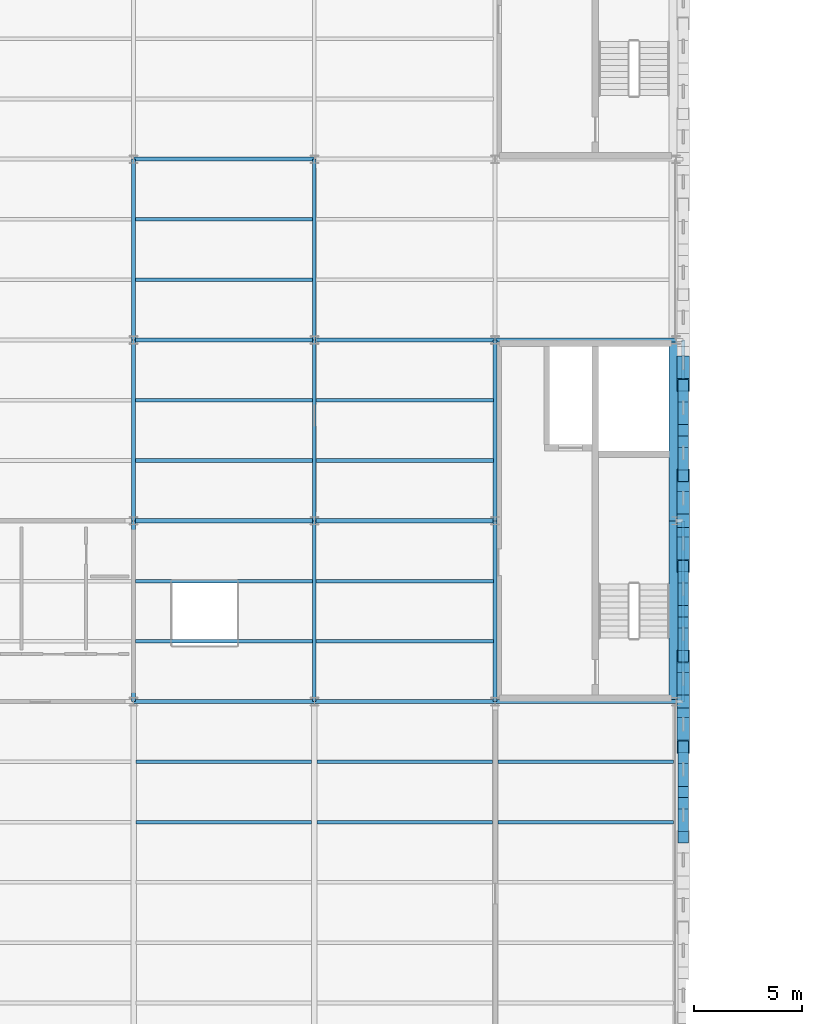
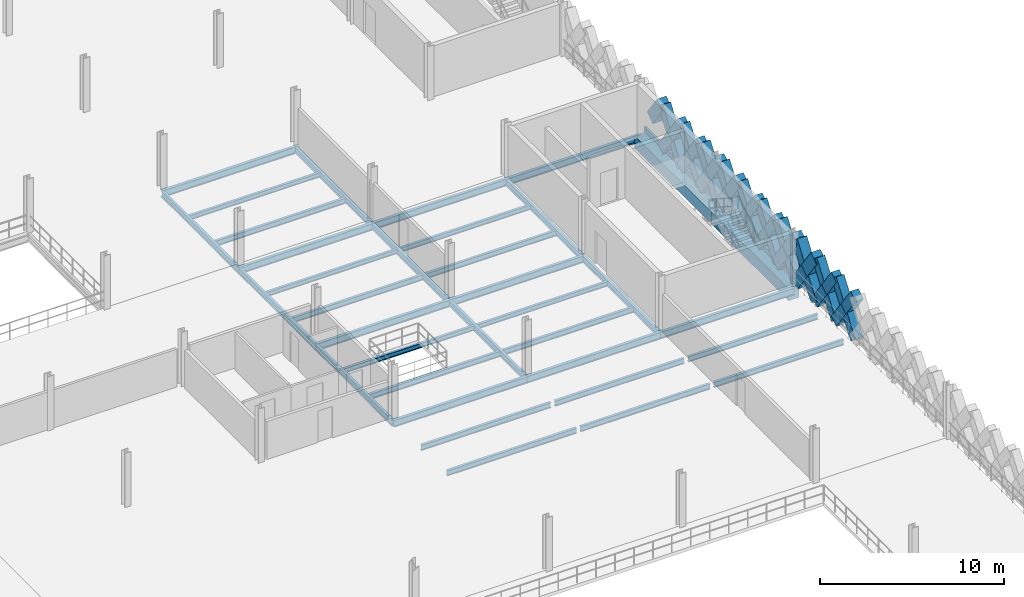
# One storey, part 26 of 79: 35 beams, 33 members.
"""IFC4 building model written with IfcOpenShell, lengths in metres."""

from ifc_helpers import new_model, si_unit, direction, frame, origin, origin_2d, place, context, subcontext, project, spatial, rectangle, hollow_rectangle, i_section, extrude, material, material_profile, profile_set, type_object, element, save


model = new_model("IFC4")

# Units and contexts
model_context = context("Model", 3, precision=1e-05, world=origin(), true_north=direction((0.0, 1.0)))
body_context = subcontext(model_context, "Body", "Model", "MODEL_VIEW")
ifc_project = project(units=[si_unit("LENGTHUNIT", "METRE"), si_unit("AREAUNIT", "SQUARE_METRE"), si_unit("VOLUMEUNIT", "CUBIC_METRE"), si_unit("PLANEANGLEUNIT", "RADIAN"), si_unit("MASSUNIT", "GRAM", prefix="KILO"), si_unit("THERMODYNAMICTEMPERATUREUNIT", "KELVIN"), si_unit("POWERUNIT", "WATT")], contexts=[model_context])

# Site, building, storey
site_placement = place(None, origin())
site = spatial("IfcSite", under=ifc_project, at=site_placement, CompositionType="ELEMENT")
building_placement = place(site_placement, origin())
building = spatial("IfcBuilding", under=site, at=building_placement, Name="Tembeka Court Mobility Hub", CompositionType="ELEMENT")
storey_placement = place(building_placement, frame((0.0, 0.0, 9.0)))
storey = spatial("IfcBuildingStorey", under=building, at=storey_placement, Name="L02", CompositionType="ELEMENT", Elevation=9.0)

# Beams
ifc_material_1 = material(Name="Steel S355", Category="steel")
ifc_material_profile_1 = material_profile(ifc_material_1, i_section(OverallWidth=0.18994140625, OverallDepth=0.45703125, WebThickness=0.009033203125, FlangeThickness=0.014404296875, FilletRadius=0.01025390625, at=origin_2d()), Name="UKB 457x191x74")
ifc_profile_set_1 = profile_set([ifc_material_profile_1], Name="Steel S355")
beam_type_1 = type_object("IfcBeamType", Name="BM-B01", PredefinedType="BEAM", material=ifc_profile_set_1)
beam_1_placement = place(storey_placement, frame((67.199951171875, 38.39990234375, -0.448486328125), z_axis=(1.0, 0.0, 0.0), x_axis=(0.0, 1.0, 0.0)))
element("IfcBeam", 1, at=beam_1_placement, inside=storey, type_object=beam_type_1, Name="Beam B01 (BM-L02-X1217)", PredefinedType="BEAM", context=body_context, shape_type="SweptSolid", body=[
    extrude(i_section(OverallWidth=0.18994140625, OverallDepth=0.45703125, WebThickness=0.009033203125, FlangeThickness=0.014404296875, FilletRadius=0.01025390625, at=origin_2d()), origin(), (0.0, 0.0, 1.0), 8.400146484375),
])
for number, where, z_axis, x_axis, name in (
    (2, (75.60009765625, 38.39990234375, -0.448486328125), (1.0, 0.0, 0.0), (0.0, 1.0, 0.0), "Beam B01 (BM-L02-X1218)"),
    (3, (84.0, 38.39990234375, -0.448486328125), (1.0, 0.0, 0.0), (0.0, 1.0, 0.0), "Beam B01 (BM-L02-X1219)"),
):
    element("IfcBeam", number, at=place(storey_placement, frame(where, z_axis=z_axis, x_axis=x_axis)), inside=storey, type_object=beam_type_1, Name=name, PredefinedType="BEAM", context=body_context, shape_type="SweptSolid", body=[
        extrude(i_section(OverallWidth=0.18994140625, OverallDepth=0.45703125, WebThickness=0.009033203125, FlangeThickness=0.014404296875, FilletRadius=0.01025390625, at=origin_2d()), origin(), (0.0, 0.0, 1.0), 8.39990234375),
    ])
beam_2_placement = place(storey_placement, frame((67.199951171875, 46.800048828125, -0.448486328125), z_axis=(1.0, 0.0, 0.0), x_axis=(0.0, 1.0, 0.0)))
element("IfcBeam", 4, at=beam_2_placement, inside=storey, type_object=beam_type_1, Name="Beam B01 (BM-L02-X1232)", PredefinedType="BEAM", context=body_context, shape_type="SweptSolid", body=[
    extrude(i_section(OverallWidth=0.18994140625, OverallDepth=0.45703125, WebThickness=0.009033203125, FlangeThickness=0.014404296875, FilletRadius=0.01025390625, at=origin_2d()), origin(), (0.0, 0.0, 1.0), 8.400146484375),
])
beam_3_placement = place(storey_placement, frame((75.60009765625, 46.800048828125, -0.448486328125), z_axis=(1.0, 0.0, 0.0), x_axis=(0.0, 1.0, 0.0)))
element("IfcBeam", 5, at=beam_3_placement, inside=storey, type_object=beam_type_1, Name="Beam B01 (BM-L02-X1233)", PredefinedType="BEAM", context=body_context, shape_type="SweptSolid", body=[
    extrude(i_section(OverallWidth=0.18994140625, OverallDepth=0.45703125, WebThickness=0.009033203125, FlangeThickness=0.014404296875, FilletRadius=0.01025390625, at=origin_2d()), origin(), (0.0, 0.0, 1.0), 8.39990234375),
])
beam_4_placement = place(storey_placement, frame((67.199951171875, 55.199951171875, -0.448486328125), z_axis=(1.0, 0.0, 0.0), x_axis=(0.0, 1.0, 0.0)))
element("IfcBeam", 6, at=beam_4_placement, inside=storey, type_object=beam_type_1, Name="Beam B01 (BM-L02-X1247)", PredefinedType="BEAM", context=body_context, shape_type="SweptSolid", body=[
    extrude(i_section(OverallWidth=0.18994140625, OverallDepth=0.45703125, WebThickness=0.009033203125, FlangeThickness=0.014404296875, FilletRadius=0.01025390625, at=origin_2d()), origin(), (0.0, 0.0, 1.0), 8.400146484375),
])
for number, where, z_axis, x_axis, name in (
    (7, (75.60009765625, 55.199951171875, -0.448486328125), (1.0, 0.0, 0.0), (0.0, 1.0, 0.0), "Beam B01 (BM-L02-X1248)"),
    (8, (84.0, 55.199951171875, -0.448486328125), (1.0, 0.0, 0.0), (0.0, 1.0, 0.0), "Beam B01 (BM-L02-X1249)"),
):
    element("IfcBeam", number, at=place(storey_placement, frame(where, z_axis=z_axis, x_axis=x_axis)), inside=storey, type_object=beam_type_1, Name=name, PredefinedType="BEAM", context=body_context, shape_type="SweptSolid", body=[
        extrude(i_section(OverallWidth=0.18994140625, OverallDepth=0.45703125, WebThickness=0.009033203125, FlangeThickness=0.014404296875, FilletRadius=0.01025390625, at=origin_2d()), origin(), (0.0, 0.0, 1.0), 8.39990234375),
    ])
beam_5_placement = place(storey_placement, frame((67.199951171875, 63.60009765625, -0.448486328125), z_axis=(1.0, 0.0, 0.0), x_axis=(0.0, 1.0, 0.0)))
element("IfcBeam", 9, at=beam_5_placement, inside=storey, type_object=beam_type_1, Name="Beam B01 (BM-L02-X1259)", PredefinedType="BEAM", context=body_context, shape_type="SweptSolid", body=[
    extrude(i_section(OverallWidth=0.18994140625, OverallDepth=0.45703125, WebThickness=0.009033203125, FlangeThickness=0.014404296875, FilletRadius=0.01025390625, at=origin_2d()), origin(), (0.0, 0.0, 1.0), 8.400146484375),
])
ifc_material_profile_2 = material_profile(ifc_material_1, i_section(OverallWidth=0.177978515625, OverallDepth=0.406005859375, WebThickness=0.0078125, FlangeThickness=0.0126953125, FilletRadius=0.01025390625, at=origin_2d()), Name="UKB 406x178x60")
ifc_profile_set_2 = profile_set([ifc_material_profile_2], Name="Steel S355")
beam_type_2 = type_object("IfcBeamType", Name="BM-B02", PredefinedType="BEAM", material=ifc_profile_set_2)
beam_6_placement = place(storey_placement, frame((67.199951171875, 38.39990234375, -0.423095703125), z_axis=(0.0, 1.0, 0.0), x_axis=(-1.0, 0.0, 0.0)))
element("IfcBeam", 10, at=beam_6_placement, inside=storey, type_object=beam_type_2, Name="Beam B02 (BM-L02-Y1377)", PredefinedType="BEAM", context=body_context, shape_type="SweptSolid", body=[
    extrude(i_section(OverallWidth=0.177978515625, OverallDepth=0.406005859375, WebThickness=0.0078125, FlangeThickness=0.0126953125, FilletRadius=0.01025390625, at=origin_2d()), origin(), (0.0, 0.0, 1.0), 8.400146484375),
])
beam_7_placement = place(storey_placement, frame((67.199951171875, 46.800048828125, -0.423095703125), z_axis=(0.0, 1.0, 0.0), x_axis=(-1.0, 0.0, 0.0)))
element("IfcBeam", 11, at=beam_7_placement, inside=storey, type_object=beam_type_2, Name="Beam B02 (BM-L02-Y1378)", PredefinedType="BEAM", context=body_context, shape_type="SweptSolid", body=[
    extrude(i_section(OverallWidth=0.177978515625, OverallDepth=0.406005859375, WebThickness=0.0078125, FlangeThickness=0.0126953125, FilletRadius=0.01025390625, at=origin_2d()), origin(), (0.0, 0.0, 1.0), 8.39990234375),
])
for number, where, z_axis, x_axis, name in (
    (12, (67.199951171875, 55.199951171875, -0.423095703125), (0.0, 1.0, 0.0), (-1.0, 0.0, 0.0), "Beam B02 (BM-L02-Y1379)"),
    (13, (75.60009765625, 38.39990234375, -0.423095703125), (0.0, 1.0, 0.0), (-1.0, 0.0, 0.0), "Beam B02 (BM-L02-Y1384)"),
):
    element("IfcBeam", number, at=place(storey_placement, frame(where, z_axis=z_axis, x_axis=x_axis)), inside=storey, type_object=beam_type_2, Name=name, PredefinedType="BEAM", context=body_context, shape_type="SweptSolid", body=[
        extrude(i_section(OverallWidth=0.177978515625, OverallDepth=0.406005859375, WebThickness=0.0078125, FlangeThickness=0.0126953125, FilletRadius=0.01025390625, at=origin_2d()), origin(), (0.0, 0.0, 1.0), 8.400146484375),
    ])
beam_8_placement = place(storey_placement, frame((75.60009765625, 46.800048828125, -0.423095703125), z_axis=(0.0, 1.0, 0.0), x_axis=(-1.0, 0.0, 0.0)))
element("IfcBeam", 14, at=beam_8_placement, inside=storey, type_object=beam_type_2, Name="Beam B02 (BM-L02-Y1385)", PredefinedType="BEAM", context=body_context, shape_type="SweptSolid", body=[
    extrude(i_section(OverallWidth=0.177978515625, OverallDepth=0.406005859375, WebThickness=0.0078125, FlangeThickness=0.0126953125, FilletRadius=0.01025390625, at=origin_2d()), origin(), (0.0, 0.0, 1.0), 8.39990234375),
])
for number, where, z_axis, x_axis, name in (
    (15, (75.60009765625, 55.199951171875, -0.423095703125), (0.0, 1.0, 0.0), (-1.0, 0.0, 0.0), "Beam B02 (BM-L02-Y1386)"),
    (16, (84.0, 38.39990234375, -0.423095703125), (0.0, 1.0, 0.0), (-1.0, 0.0, 0.0), "Beam B02 (BM-L02-Y1393)"),
):
    element("IfcBeam", number, at=place(storey_placement, frame(where, z_axis=z_axis, x_axis=x_axis)), inside=storey, type_object=beam_type_2, Name=name, PredefinedType="BEAM", context=body_context, shape_type="SweptSolid", body=[
        extrude(i_section(OverallWidth=0.177978515625, OverallDepth=0.406005859375, WebThickness=0.0078125, FlangeThickness=0.0126953125, FilletRadius=0.01025390625, at=origin_2d()), origin(), (0.0, 0.0, 1.0), 8.400146484375),
    ])
beam_9_placement = place(storey_placement, frame((84.0, 46.800048828125, -0.423095703125), z_axis=(0.0, 1.0, 0.0), x_axis=(-1.0, 0.0, 0.0)))
element("IfcBeam", 17, at=beam_9_placement, inside=storey, type_object=beam_type_2, Name="Beam B02 (BM-L02-Y1394)", PredefinedType="BEAM", context=body_context, shape_type="SweptSolid", body=[
    extrude(i_section(OverallWidth=0.177978515625, OverallDepth=0.406005859375, WebThickness=0.0078125, FlangeThickness=0.0126953125, FilletRadius=0.01025390625, at=origin_2d()), origin(), (0.0, 0.0, 1.0), 8.39990234375),
])
ifc_material_profile_3 = material_profile(ifc_material_1, i_section(OverallWidth=0.172119140625, OverallDepth=0.35498046875, WebThickness=0.00732421875, FlangeThickness=0.011474609375, FilletRadius=0.01025390625, at=origin_2d()), Name="UKB 356x171x51")
ifc_profile_set_3 = profile_set([ifc_material_profile_3], Name="Steel S355")
beam_type_3 = type_object("IfcBeamType", Name="BM-J01", PredefinedType="JOIST", material=ifc_profile_set_3)
for number, where, z_axis, x_axis, name in (
    (18, (67.322021484375, 32.800048828125, -0.3974609375), (1.0, 0.0, 0.0), (0.0, 1.0, 0.0), "Beam J01 (JST-L02-1586)"),
    (19, (67.322021484375, 35.60009765625, -0.3974609375), (1.0, 0.0, 0.0), (0.0, 1.0, 0.0), "Beam J01 (JST-L02-1587)"),
    (20, (75.721923828125, 32.800048828125, -0.3974609375), (1.0, 0.0, 0.0), (0.0, 1.0, 0.0), "Beam J01 (JST-L02-1606)"),
    (21, (75.721923828125, 35.60009765625, -0.3974609375), (1.0, 0.0, 0.0), (0.0, 1.0, 0.0), "Beam J01 (JST-L02-1607)"),
    (22, (84.1220703125, 32.800048828125, -0.3974609375), (1.0, 0.0, 0.0), (0.0, 1.0, 0.0), "Beam J01 (JST-L02-1626)"),
    (23, (84.1220703125, 35.60009765625, -0.3974609375), (1.0, 0.0, 0.0), (0.0, 1.0, 0.0), "Beam J01 (JST-L02-1627)"),
):
    element("IfcBeam", number, at=place(storey_placement, frame(where, z_axis=z_axis, x_axis=x_axis)), inside=storey, type_object=beam_type_3, Name=name, PredefinedType="JOIST", context=body_context, shape_type="SweptSolid", body=[
        extrude(i_section(OverallWidth=0.172119140625, OverallDepth=0.35498046875, WebThickness=0.00732421875, FlangeThickness=0.011474609375, FilletRadius=0.01025390625, at=origin_2d()), origin(), (0.0, 0.0, 1.0), 8.156005859375),
    ])
ifc_material_profile_4 = material_profile(ifc_material_1, i_section(OverallWidth=0.1650390625, OverallDepth=0.303955078125, WebThickness=0.006103515625, FlangeThickness=0.01025390625, FilletRadius=0.0087890625, at=origin_2d()), Name="UKB 305x165x40")
ifc_profile_set_4 = profile_set([ifc_material_profile_4], Name="Steel S355")
beam_type_4 = type_object("IfcBeamType", Name="BM-J02", PredefinedType="JOIST", material=ifc_profile_set_4)
for number, where, z_axis, x_axis, name in (
    (24, (67.283935546875, 44.0, -0.3720703125), (1.0, 0.0, 0.0), (0.0, 1.0, 0.0), "Beam J02 (JST-L02-1589)"),
    (25, (67.283935546875, 52.39990234375, -0.3720703125), (1.0, 0.0, 0.0), (0.0, 1.0, 0.0), "Beam J02 (JST-L02-1591)"),
    (26, (67.283935546875, 60.800048828125, -0.3720703125), (1.0, 0.0, 0.0), (0.0, 1.0, 0.0), "Beam J02 (JST-L02-1593)"),
):
    element("IfcBeam", number, at=place(storey_placement, frame(where, z_axis=z_axis, x_axis=x_axis)), inside=storey, type_object=beam_type_4, Name=name, PredefinedType="JOIST", context=body_context, shape_type="SweptSolid", body=[
        extrude(i_section(OverallWidth=0.1650390625, OverallDepth=0.303955078125, WebThickness=0.006103515625, FlangeThickness=0.01025390625, FilletRadius=0.0087890625, at=origin_2d()), origin(), (0.0, 0.0, 1.0), 8.232177734375),
    ])
for number, where, z_axis, x_axis, name in (
    (27, (75.68408203125, 44.0, -0.3720703125), (1.0, 0.0, 0.0), (0.0, 1.0, 0.0), "Beam J02 (JST-L02-1609)"),
    (28, (75.68408203125, 52.39990234375, -0.3720703125), (1.0, 0.0, 0.0), (0.0, 1.0, 0.0), "Beam J02 (JST-L02-1611)"),
):
    element("IfcBeam", number, at=place(storey_placement, frame(where, z_axis=z_axis, x_axis=x_axis)), inside=storey, type_object=beam_type_4, Name=name, PredefinedType="JOIST", context=body_context, shape_type="SweptSolid", body=[
        extrude(i_section(OverallWidth=0.1650390625, OverallDepth=0.303955078125, WebThickness=0.006103515625, FlangeThickness=0.01025390625, FilletRadius=0.0087890625, at=origin_2d()), origin(), (0.0, 0.0, 1.0), 8.23193359375),
    ])
ifc_material_profile_5 = material_profile(ifc_material_1, i_section(OverallWidth=0.169921875, OverallDepth=0.360107421875, WebThickness=0.008056640625, FlangeThickness=0.0126953125, FilletRadius=0.01806640625, at=origin_2d()), Name="IPE 360")
ifc_profile_set_5 = profile_set([ifc_material_profile_5], Name="Steel S355")
beam_type_5 = type_object("IfcBeamType", Name="BM-J03", PredefinedType="JOIST", material=ifc_profile_set_5)
for number, where, z_axis, x_axis, name in (
    (29, (67.283935546875, 41.199951171875, -0.39990234375), (1.0, 0.0, 0.0), (0.0, 1.0, 0.0), "Beam J03 (JST-L02-1588)"),
    (30, (67.283935546875, 49.60009765625, -0.39990234375), (1.0, 0.0, 0.0), (0.0, 1.0, 0.0), "Beam J03 (JST-L02-1590)"),
    (31, (67.283935546875, 58.0, -0.39990234375), (1.0, 0.0, 0.0), (0.0, 1.0, 0.0), "Beam J03 (JST-L02-1592)"),
):
    element("IfcBeam", number, at=place(storey_placement, frame(where, z_axis=z_axis, x_axis=x_axis)), inside=storey, type_object=beam_type_5, Name=name, PredefinedType="JOIST", context=body_context, shape_type="SweptSolid", body=[
        extrude(i_section(OverallWidth=0.169921875, OverallDepth=0.360107421875, WebThickness=0.008056640625, FlangeThickness=0.0126953125, FilletRadius=0.01806640625, at=origin_2d()), origin(), (0.0, 0.0, 1.0), 8.232177734375),
    ])
for number, where, z_axis, x_axis, name in (
    (32, (75.68408203125, 41.199951171875, -0.39990234375), (1.0, 0.0, 0.0), (0.0, 1.0, 0.0), "Beam J03 (JST-L02-1608)"),
    (33, (75.68408203125, 49.60009765625, -0.39990234375), (1.0, 0.0, 0.0), (0.0, 1.0, 0.0), "Beam J03 (JST-L02-1610)"),
):
    element("IfcBeam", number, at=place(storey_placement, frame(where, z_axis=z_axis, x_axis=x_axis)), inside=storey, type_object=beam_type_5, Name=name, PredefinedType="JOIST", context=body_context, shape_type="SweptSolid", body=[
        extrude(i_section(OverallWidth=0.169921875, OverallDepth=0.360107421875, WebThickness=0.008056640625, FlangeThickness=0.0126953125, FilletRadius=0.01806640625, at=origin_2d()), origin(), (0.0, 0.0, 1.0), 8.23193359375),
    ])
ifc_material_2 = material(Name="Precast concrete C45/55", Category="concrete")
ifc_material_profile_6 = material_profile(ifc_material_2, rectangle(XDim=0.64990234375, YDim=0.800048828125, at=origin_2d()), Name="PC-SP 650x800")
ifc_profile_set_6 = profile_set([ifc_material_profile_6], Name="Precast concrete C45/55")
beam_type_6 = type_object("IfcBeamType", Name="BM-SP01", PredefinedType="SPANDREL", material=ifc_profile_set_6)
beam_10_placement = place(storey_placement, frame((92.39990234375, 38.39990234375, -0.6201171875), z_axis=(0.0, 1.0, 0.0), x_axis=(-1.0, 0.0, 0.0)))
element("IfcBeam", 34, at=beam_10_placement, inside=storey, type_object=beam_type_6, Name="Beam SP01 (BM-L02-Y1404)", PredefinedType="SPANDREL", context=body_context, shape_type="SweptSolid", body=[
    extrude(rectangle(XDim=0.64990234375, YDim=0.800048828125, at=origin_2d()), origin(), (0.0, 0.0, 1.0), 8.400146484375),
])
beam_11_placement = place(storey_placement, frame((92.39990234375, 46.800048828125, -0.6201171875), z_axis=(0.0, 1.0, 0.0), x_axis=(-1.0, 0.0, 0.0)))
element("IfcBeam", 35, at=beam_11_placement, inside=storey, type_object=beam_type_6, Name="Beam SP01 (BM-L02-Y1405)", PredefinedType="SPANDREL", context=body_context, shape_type="SweptSolid", body=[
    extrude(rectangle(XDim=0.64990234375, YDim=0.800048828125, at=origin_2d()), origin(), (0.0, 0.0, 1.0), 8.39990234375),
])

# Members
ifc_material_profile_7 = material_profile(ifc_material_2, rectangle(XDim=0.5, YDim=0.64990234375, at=origin_2d()), Name="PC-DIAG 500x650")
ifc_profile_set_7 = profile_set([ifc_material_profile_7], Name="Precast concrete C45/55")
member_type_1 = type_object("IfcMemberType", Name="MEM-DL01", PredefinedType="BRACE", material=ifc_profile_set_7)
member_1_placement = place(storey_placement, frame((92.739990234375, 32.10009765625, 0.02001953125), z_axis=(0.0, 0.58253161945, 0.812808041509), x_axis=(-1.0, 0.0, 0.0)))
element("IfcMember", 36, at=member_1_placement, inside=storey, type_object=member_type_1, Name="Precast diamond lattice continuous strand DL01 (L02-348C)", PredefinedType="BRACE", context=body_context, shape_type="SweptSolid", body=[
    extrude(rectangle(XDim=0.5, YDim=0.64990234375, at=origin_2d()), origin(), (0.0, 0.0, 1.0), 3.604736328125),
])
member_2_placement = place(storey_placement, frame((92.739990234375, 34.199951171875, 0.02001953125), z_axis=(0.0, -0.582544294934, 0.812798956963), x_axis=(1.0, 0.0, 0.0)))
element("IfcMember", 37, at=member_2_placement, inside=storey, type_object=member_type_1, Name="Precast diamond lattice split lower strand DL01 (L02-348D1)", PredefinedType="BRACE", context=body_context, shape_type="SweptSolid", body=[
    extrude(rectangle(XDim=0.5, YDim=0.64990234375, at=origin_2d()), origin(), (0.0, 0.0, 1.0), 1.802490234375),
])
member_3_placement = place(storey_placement, frame((92.739990234375, 33.14990234375, 1.485107421875), z_axis=(0.0, -0.582518941428, 0.812817127574), x_axis=(1.0, 0.0, 0.0)))
element("IfcMember", 38, at=member_3_placement, inside=storey, type_object=member_type_1, Name="Precast diamond lattice split upper strand DL01 (L02-348D2)", PredefinedType="BRACE", context=body_context, shape_type="SweptSolid", body=[
    extrude(rectangle(XDim=0.5, YDim=0.64990234375, at=origin_2d()), origin(), (0.0, 0.0, 1.0), 1.80224609375),
])
member_4_placement = place(storey_placement, frame((92.739990234375, 34.199951171875, 0.02001953125), z_axis=(0.0, 0.582576362011, 0.812775973086), x_axis=(-1.0, 0.0, 0.0)))
element("IfcMember", 39, at=member_4_placement, inside=storey, type_object=member_type_1, Name="Precast diamond lattice continuous strand DL01 (L02-349C)", PredefinedType="BRACE", context=body_context, shape_type="SweptSolid", body=[
    extrude(rectangle(XDim=0.5, YDim=0.64990234375, at=origin_2d()), origin(), (0.0, 0.0, 1.0), 3.604736328125),
])
member_5_placement = place(storey_placement, frame((92.739990234375, 36.300048828125, 0.02001953125), z_axis=(0.0, -0.582544294934, 0.812798956963), x_axis=(1.0, 0.0, 0.0)))
element("IfcMember", 40, at=member_5_placement, inside=storey, type_object=member_type_1, Name="Precast diamond lattice split lower strand DL01 (L02-349D1)", PredefinedType="BRACE", context=body_context, shape_type="SweptSolid", body=[
    extrude(rectangle(XDim=0.5, YDim=0.64990234375, at=origin_2d()), origin(), (0.0, 0.0, 1.0), 1.802490234375),
])
member_6_placement = place(storey_placement, frame((92.739990234375, 35.25, 1.485107421875), z_axis=(0.0, -0.582608431711, 0.812752985414), x_axis=(1.0, 0.0, 0.0)))
element("IfcMember", 41, at=member_6_placement, inside=storey, type_object=member_type_1, Name="Precast diamond lattice split upper strand DL01 (L02-349D2)", PredefinedType="BRACE", context=body_context, shape_type="SweptSolid", body=[
    extrude(rectangle(XDim=0.5, YDim=0.64990234375, at=origin_2d()), origin(), (0.0, 0.0, 1.0), 1.80224609375),
])
member_7_placement = place(storey_placement, frame((92.739990234375, 40.5, 0.02001953125), z_axis=(0.0, 0.582576362011, 0.812775973086), x_axis=(-1.0, 0.0, 0.0)))
element("IfcMember", 42, at=member_7_placement, inside=storey, type_object=member_type_1, Name="Precast diamond lattice continuous strand DL01 (L02-352C)", PredefinedType="BRACE", context=body_context, shape_type="SweptSolid", body=[
    extrude(rectangle(XDim=0.5, YDim=0.64990234375, at=origin_2d()), origin(), (0.0, 0.0, 1.0), 3.604736328125),
])
member_8_placement = place(storey_placement, frame((92.739990234375, 42.60009765625, 0.02001953125), z_axis=(0.0, -0.582544294934, 0.812798956963), x_axis=(1.0, 0.0, 0.0)))
element("IfcMember", 43, at=member_8_placement, inside=storey, type_object=member_type_1, Name="Precast diamond lattice split lower strand DL01 (L02-352D1)", PredefinedType="BRACE", context=body_context, shape_type="SweptSolid", body=[
    extrude(rectangle(XDim=0.5, YDim=0.64990234375, at=origin_2d()), origin(), (0.0, 0.0, 1.0), 1.802490234375),
])
member_9_placement = place(storey_placement, frame((92.739990234375, 41.550048828125, 1.485107421875), z_axis=(0.0, -0.582608431711, 0.812752985414), x_axis=(1.0, 0.0, 0.0)))
element("IfcMember", 44, at=member_9_placement, inside=storey, type_object=member_type_1, Name="Precast diamond lattice split upper strand DL01 (L02-352D2)", PredefinedType="BRACE", context=body_context, shape_type="SweptSolid", body=[
    extrude(rectangle(XDim=0.5, YDim=0.64990234375, at=origin_2d()), origin(), (0.0, 0.0, 1.0), 1.80224609375),
])
member_10_placement = place(storey_placement, frame((92.739990234375, 42.60009765625, 0.02001953125), z_axis=(0.0, 0.58253161945, 0.812808041509), x_axis=(-1.0, 0.0, 0.0)))
element("IfcMember", 45, at=member_10_placement, inside=storey, type_object=member_type_1, Name="Precast diamond lattice continuous strand DL01 (L02-353C)", PredefinedType="BRACE", context=body_context, shape_type="SweptSolid", body=[
    extrude(rectangle(XDim=0.5, YDim=0.64990234375, at=origin_2d()), origin(), (0.0, 0.0, 1.0), 3.604736328125),
])
member_11_placement = place(storey_placement, frame((92.739990234375, 44.699951171875, 0.02001953125), z_axis=(0.0, -0.582544294934, 0.812798956963), x_axis=(1.0, 0.0, 0.0)))
element("IfcMember", 46, at=member_11_placement, inside=storey, type_object=member_type_1, Name="Precast diamond lattice split lower strand DL01 (L02-353D1)", PredefinedType="BRACE", context=body_context, shape_type="SweptSolid", body=[
    extrude(rectangle(XDim=0.5, YDim=0.64990234375, at=origin_2d()), origin(), (0.0, 0.0, 1.0), 1.802490234375),
])
member_12_placement = place(storey_placement, frame((92.739990234375, 43.64990234375, 1.485107421875), z_axis=(0.0, -0.582518941428, 0.812817127574), x_axis=(1.0, 0.0, 0.0)))
element("IfcMember", 47, at=member_12_placement, inside=storey, type_object=member_type_1, Name="Precast diamond lattice split upper strand DL01 (L02-353D2)", PredefinedType="BRACE", context=body_context, shape_type="SweptSolid", body=[
    extrude(rectangle(XDim=0.5, YDim=0.64990234375, at=origin_2d()), origin(), (0.0, 0.0, 1.0), 1.80224609375),
])
member_13_placement = place(storey_placement, frame((92.739990234375, 48.89990234375, 0.02001953125), z_axis=(0.0, 0.582576362011, 0.812775973086), x_axis=(-1.0, 0.0, 0.0)))
element("IfcMember", 48, at=member_13_placement, inside=storey, type_object=member_type_1, Name="Precast diamond lattice continuous strand DL01 (L02-356C)", PredefinedType="BRACE", context=body_context, shape_type="SweptSolid", body=[
    extrude(rectangle(XDim=0.5, YDim=0.64990234375, at=origin_2d()), origin(), (0.0, 0.0, 1.0), 3.604736328125),
])
member_14_placement = place(storey_placement, frame((92.739990234375, 51.0, 0.02001953125), z_axis=(0.0, -0.582544294934, 0.812798956963), x_axis=(1.0, 0.0, 0.0)))
element("IfcMember", 49, at=member_14_placement, inside=storey, type_object=member_type_1, Name="Precast diamond lattice split lower strand DL01 (L02-356D1)", PredefinedType="BRACE", context=body_context, shape_type="SweptSolid", body=[
    extrude(rectangle(XDim=0.5, YDim=0.64990234375, at=origin_2d()), origin(), (0.0, 0.0, 1.0), 1.802490234375),
])
member_15_placement = place(storey_placement, frame((92.739990234375, 49.949951171875, 1.485107421875), z_axis=(0.0, -0.582608431711, 0.812752985414), x_axis=(1.0, 0.0, 0.0)))
element("IfcMember", 50, at=member_15_placement, inside=storey, type_object=member_type_1, Name="Precast diamond lattice split upper strand DL01 (L02-356D2)", PredefinedType="BRACE", context=body_context, shape_type="SweptSolid", body=[
    extrude(rectangle(XDim=0.5, YDim=0.64990234375, at=origin_2d()), origin(), (0.0, 0.0, 1.0), 1.80224609375),
])
member_16_placement = place(storey_placement, frame((92.739990234375, 51.0, 0.02001953125), z_axis=(0.0, 0.582576362011, 0.812775973086), x_axis=(-1.0, 0.0, 0.0)))
element("IfcMember", 51, at=member_16_placement, inside=storey, type_object=member_type_1, Name="Precast diamond lattice continuous strand DL01 (L02-357C)", PredefinedType="BRACE", context=body_context, shape_type="SweptSolid", body=[
    extrude(rectangle(XDim=0.5, YDim=0.64990234375, at=origin_2d()), origin(), (0.0, 0.0, 1.0), 3.604736328125),
])
member_17_placement = place(storey_placement, frame((92.739990234375, 53.10009765625, 0.02001953125), z_axis=(0.0, -0.582544294934, 0.812798956963), x_axis=(1.0, 0.0, 0.0)))
element("IfcMember", 52, at=member_17_placement, inside=storey, type_object=member_type_1, Name="Precast diamond lattice split lower strand DL01 (L02-357D1)", PredefinedType="BRACE", context=body_context, shape_type="SweptSolid", body=[
    extrude(rectangle(XDim=0.5, YDim=0.64990234375, at=origin_2d()), origin(), (0.0, 0.0, 1.0), 1.802490234375),
])
member_18_placement = place(storey_placement, frame((92.739990234375, 52.050048828125, 1.485107421875), z_axis=(0.0, -0.582608431711, 0.812752985414), x_axis=(1.0, 0.0, 0.0)))
element("IfcMember", 53, at=member_18_placement, inside=storey, type_object=member_type_1, Name="Precast diamond lattice split upper strand DL01 (L02-357D2)", PredefinedType="BRACE", context=body_context, shape_type="SweptSolid", body=[
    extrude(rectangle(XDim=0.5, YDim=0.64990234375, at=origin_2d()), origin(), (0.0, 0.0, 1.0), 1.80224609375),
])
ifc_material_profile_8 = material_profile(ifc_material_2, rectangle(XDim=0.60009765625, YDim=0.75, at=origin_2d()), Name="PC-DIAG 600x750")
ifc_profile_set_8 = profile_set([ifc_material_profile_8], Name="Precast concrete C45/55")
member_type_2 = type_object("IfcMemberType", Name="MEM-DL02", PredefinedType="BRACE", material=ifc_profile_set_8)
member_19_placement = place(storey_placement, frame((92.739990234375, 36.300048828125, 0.02001953125), z_axis=(0.0, 0.58253161945, 0.812808041509), x_axis=(-1.0, 0.0, 0.0)))
element("IfcMember", 54, at=member_19_placement, inside=storey, type_object=member_type_2, Name="Precast diamond lattice continuous strand DL02 (L02-350C)", PredefinedType="BRACE", context=body_context, shape_type="SweptSolid", body=[
    extrude(rectangle(XDim=0.60009765625, YDim=0.75, at=origin_2d()), origin(), (0.0, 0.0, 1.0), 3.604736328125),
])
member_20_placement = place(storey_placement, frame((92.739990234375, 38.39990234375, 0.02001953125), z_axis=(0.0, -0.582454804382, 0.812863088627), x_axis=(1.0, 0.0, 0.0)))
element("IfcMember", 55, at=member_20_placement, inside=storey, type_object=member_type_2, Name="Precast diamond lattice split lower strand DL02 (L02-350D1)", PredefinedType="BRACE", context=body_context, shape_type="SweptSolid", body=[
    extrude(rectangle(XDim=0.60009765625, YDim=0.75, at=origin_2d()), origin(), (0.0, 0.0, 1.0), 1.802490234375),
])
member_21_placement = place(storey_placement, frame((92.739990234375, 37.35009765625, 1.485107421875), z_axis=(0.0, -0.582608431711, 0.812752985414), x_axis=(1.0, 0.0, 0.0)))
element("IfcMember", 56, at=member_21_placement, inside=storey, type_object=member_type_2, Name="Precast diamond lattice split upper strand DL02 (L02-350D2)", PredefinedType="BRACE", context=body_context, shape_type="SweptSolid", body=[
    extrude(rectangle(XDim=0.60009765625, YDim=0.75, at=origin_2d()), origin(), (0.0, 0.0, 1.0), 1.80224609375),
])
member_22_placement = place(storey_placement, frame((92.739990234375, 38.39990234375, 0.02001953125), z_axis=(0.0, 0.582576362011, 0.812775973086), x_axis=(-1.0, 0.0, 0.0)))
element("IfcMember", 57, at=member_22_placement, inside=storey, type_object=member_type_2, Name="Precast diamond lattice continuous strand DL02 (L02-351C)", PredefinedType="BRACE", context=body_context, shape_type="SweptSolid", body=[
    extrude(rectangle(XDim=0.60009765625, YDim=0.75, at=origin_2d()), origin(), (0.0, 0.0, 1.0), 3.604736328125),
])
member_23_placement = place(storey_placement, frame((92.739990234375, 40.5, 0.02001953125), z_axis=(0.0, -0.582544294934, 0.812798956963), x_axis=(1.0, 0.0, 0.0)))
element("IfcMember", 58, at=member_23_placement, inside=storey, type_object=member_type_2, Name="Precast diamond lattice split lower strand DL02 (L02-351D1)", PredefinedType="BRACE", context=body_context, shape_type="SweptSolid", body=[
    extrude(rectangle(XDim=0.60009765625, YDim=0.75, at=origin_2d()), origin(), (0.0, 0.0, 1.0), 1.802490234375),
])
member_24_placement = place(storey_placement, frame((92.739990234375, 39.449951171875, 1.485107421875), z_axis=(0.0, -0.582608431711, 0.812752985414), x_axis=(1.0, 0.0, 0.0)))
element("IfcMember", 59, at=member_24_placement, inside=storey, type_object=member_type_2, Name="Precast diamond lattice split upper strand DL02 (L02-351D2)", PredefinedType="BRACE", context=body_context, shape_type="SweptSolid", body=[
    extrude(rectangle(XDim=0.60009765625, YDim=0.75, at=origin_2d()), origin(), (0.0, 0.0, 1.0), 1.80224609375),
])
member_25_placement = place(storey_placement, frame((92.739990234375, 44.699951171875, 0.02001953125), z_axis=(0.0, 0.582576362011, 0.812775973086), x_axis=(-1.0, 0.0, 0.0)))
element("IfcMember", 60, at=member_25_placement, inside=storey, type_object=member_type_2, Name="Precast diamond lattice continuous strand DL02 (L02-354C)", PredefinedType="BRACE", context=body_context, shape_type="SweptSolid", body=[
    extrude(rectangle(XDim=0.60009765625, YDim=0.75, at=origin_2d()), origin(), (0.0, 0.0, 1.0), 3.604736328125),
])
member_26_placement = place(storey_placement, frame((92.739990234375, 46.800048828125, 0.02001953125), z_axis=(0.0, -0.582544294934, 0.812798956963), x_axis=(1.0, 0.0, 0.0)))
element("IfcMember", 61, at=member_26_placement, inside=storey, type_object=member_type_2, Name="Precast diamond lattice split lower strand DL02 (L02-354D1)", PredefinedType="BRACE", context=body_context, shape_type="SweptSolid", body=[
    extrude(rectangle(XDim=0.60009765625, YDim=0.75, at=origin_2d()), origin(), (0.0, 0.0, 1.0), 1.802490234375),
])
member_27_placement = place(storey_placement, frame((92.739990234375, 45.75, 1.485107421875), z_axis=(0.0, -0.582608431711, 0.812752985414), x_axis=(1.0, 0.0, 0.0)))
element("IfcMember", 62, at=member_27_placement, inside=storey, type_object=member_type_2, Name="Precast diamond lattice split upper strand DL02 (L02-354D2)", PredefinedType="BRACE", context=body_context, shape_type="SweptSolid", body=[
    extrude(rectangle(XDim=0.60009765625, YDim=0.75, at=origin_2d()), origin(), (0.0, 0.0, 1.0), 1.80224609375),
])
member_28_placement = place(storey_placement, frame((92.739990234375, 46.800048828125, 0.02001953125), z_axis=(0.0, 0.58253161945, 0.812808041509), x_axis=(-1.0, 0.0, 0.0)))
element("IfcMember", 63, at=member_28_placement, inside=storey, type_object=member_type_2, Name="Precast diamond lattice continuous strand DL02 (L02-355C)", PredefinedType="BRACE", context=body_context, shape_type="SweptSolid", body=[
    extrude(rectangle(XDim=0.60009765625, YDim=0.75, at=origin_2d()), origin(), (0.0, 0.0, 1.0), 3.604736328125),
])
member_29_placement = place(storey_placement, frame((92.739990234375, 48.89990234375, 0.02001953125), z_axis=(0.0, -0.582454804382, 0.812863088627), x_axis=(1.0, 0.0, 0.0)))
element("IfcMember", 64, at=member_29_placement, inside=storey, type_object=member_type_2, Name="Precast diamond lattice split lower strand DL02 (L02-355D1)", PredefinedType="BRACE", context=body_context, shape_type="SweptSolid", body=[
    extrude(rectangle(XDim=0.60009765625, YDim=0.75, at=origin_2d()), origin(), (0.0, 0.0, 1.0), 1.802490234375),
])
for number, where, z_axis, x_axis, name in (
    (65, (92.739990234375, 47.85009765625, 1.485107421875), (0.0, -0.582608431711, 0.812752985414), (1.0, 0.0, 0.0), "Precast diamond lattice split upper strand DL02 (L02-355D2)"),
    (66, (92.739990234375, 54.14990234375, 1.485107421875), (0.0, -0.582518941428, 0.812817127574), (1.0, 0.0, 0.0), "Precast diamond lattice split upper strand DL02 (L02-358D2)"),
):
    element("IfcMember", number, at=place(storey_placement, frame(where, z_axis=z_axis, x_axis=x_axis)), inside=storey, type_object=member_type_2, Name=name, PredefinedType="BRACE", context=body_context, shape_type="SweptSolid", body=[
        extrude(rectangle(XDim=0.60009765625, YDim=0.75, at=origin_2d()), origin(), (0.0, 0.0, 1.0), 1.80224609375),
    ])
ifc_material_profile_9 = material_profile(ifc_material_1, hollow_rectangle(XDim=0.14990234375, YDim=0.300048828125, WallThickness=0.010009765625, at=origin_2d()), Name="RHS 300x150x10")
ifc_profile_set_9 = profile_set([ifc_material_profile_9], Name="Steel S355")
member_type_3 = type_object("IfcMemberType", Name="MEM-ST03", PredefinedType="STRUT", material=ifc_profile_set_9)
member_30_placement = place(storey_placement, frame((92.739990234375, 38.39990234375, 0.02001953125), z_axis=(0.0, 1.0, 0.0), x_axis=(-1.0, 0.0, 0.0)))
element("IfcMember", 67, at=member_30_placement, inside=storey, type_object=member_type_3, Name="Proud lattice sill tie chord SR03 (L02-E-38)", PredefinedType="STRUT", context=body_context, shape_type="SweptSolid", body=[
    extrude(hollow_rectangle(XDim=0.14990234375, YDim=0.300048828125, WallThickness=0.010009765625, at=origin_2d()), origin(), (0.0, 0.0, 1.0), 8.400146484375),
])
member_31_placement = place(storey_placement, frame((92.739990234375, 46.800048828125, 0.02001953125), z_axis=(0.0, 1.0, 0.0), x_axis=(-1.0, 0.0, 0.0)))
element("IfcMember", 68, at=member_31_placement, inside=storey, type_object=member_type_3, Name="Proud lattice sill tie chord SR03 (L02-E-46)", PredefinedType="STRUT", context=body_context, shape_type="SweptSolid", body=[
    extrude(hollow_rectangle(XDim=0.14990234375, YDim=0.300048828125, WallThickness=0.010009765625, at=origin_2d()), origin(), (0.0, 0.0, 1.0), 8.39990234375),
])

save(model, "model.ifc")
